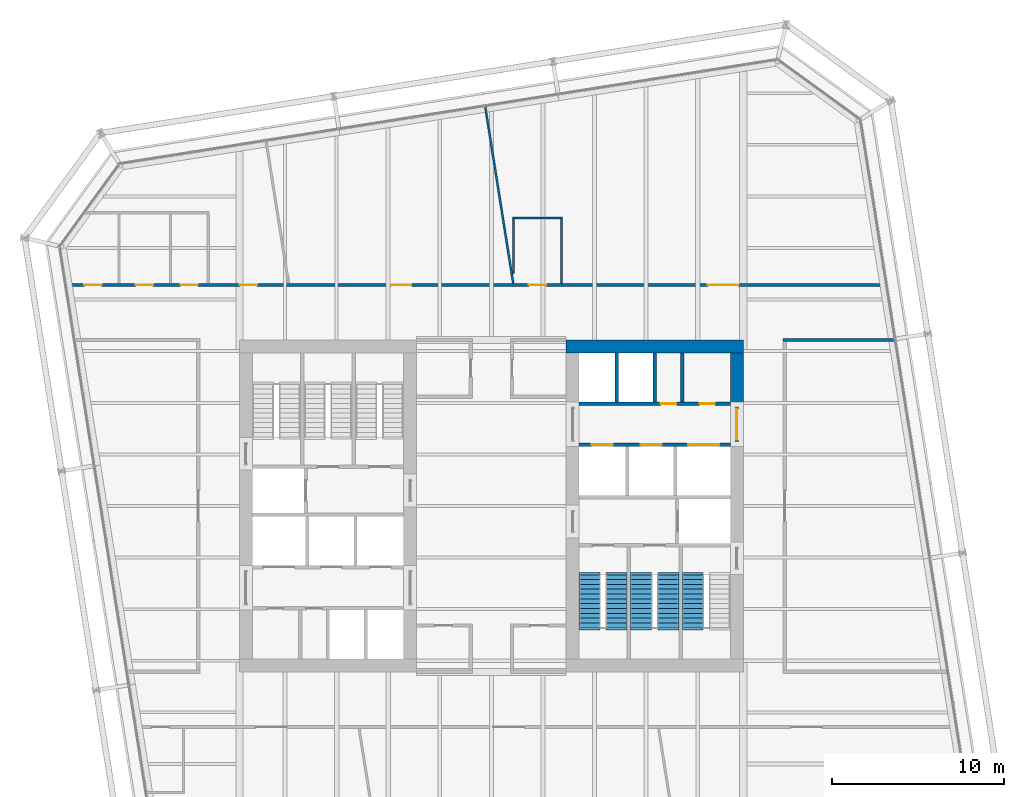
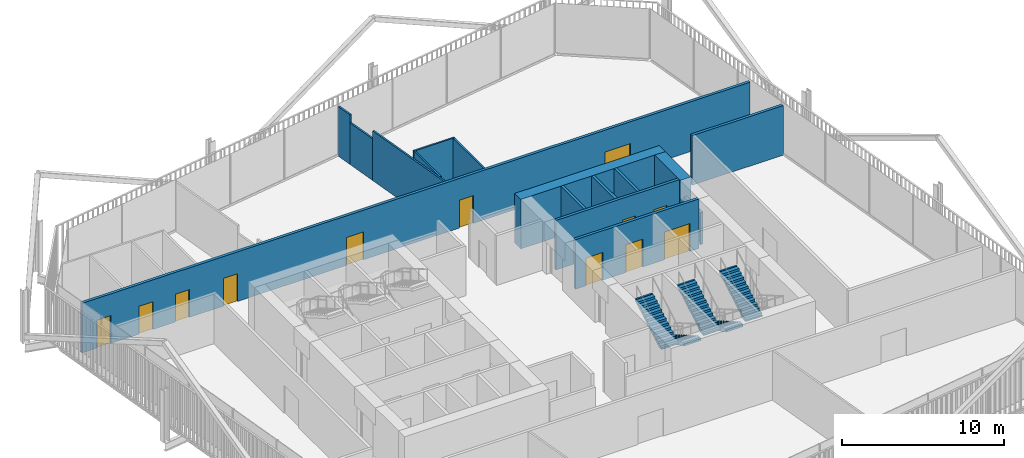
# One storey, part 20 of 22: 16 walls, 13 doors, 5 stair flights, 13 openings, 3 elements without a shape of their own.
"""IFC4 building model written with IfcOpenShell, lengths in metres."""

from ifc_helpers import new_model, si_unit, direction, frame, frame_2d, origin, place, context, subcontext, project, spatial, polyline, rectangle, outline, extrude, material, layer, layer_set, type_object, element, fill, aggregate, save


model = new_model("IFC4")

# Units and contexts
model_context = context("Model", 3, precision=1e-05, world=origin(), true_north=direction((0.0, 1.0)))
body_context = subcontext(model_context, "Body", "Model", "MODEL_VIEW")
ifc_project = project(units=[si_unit("LENGTHUNIT", "METRE"), si_unit("AREAUNIT", "SQUARE_METRE"), si_unit("VOLUMEUNIT", "CUBIC_METRE"), si_unit("PLANEANGLEUNIT", "RADIAN"), si_unit("MASSUNIT", "GRAM", prefix="KILO")], contexts=[model_context])

# Site, building, storey
site_placement = place(None, origin())
site = spatial("IfcSite", under=ifc_project, at=site_placement, CompositionType="ELEMENT")
building_placement = place(site_placement, origin())
building = spatial("IfcBuilding", under=site, at=building_placement, Name="Millrace Tower", CompositionType="ELEMENT")
storey_placement = place(building_placement, frame((0.0, 0.0, 137.300048828125)))
storey = spatial("IfcBuildingStorey", under=building, at=storey_placement, Name="L30", CompositionType="ELEMENT", Elevation=137.300048828125)

# Walls
ifc_material_1 = material(Name="Concrete C70", Category="concrete")
ifc_layer_1 = layer(ifc_material_1, 0.75)
ifc_layer_set_1 = layer_set([ifc_layer_1], Name="Concrete C70")
wall_type_1 = type_object("IfcWallType", Name="Core wall 750 Concrete C70", PredefinedType="SHEAR", material=ifc_layer_set_1)
wall_1_placement = place(storey_placement, frame((14.64990234375, 9.27490234375, 0.0), z_axis=(0.0, 0.0, 1.0), x_axis=(-1.0, 0.0, 0.0)))
element("IfcWall", 1, at=wall_1_placement, inside=storey, type_object=wall_type_1, Name="Core wall E L30", PredefinedType="SHEAR", context=body_context, shape_type="SweptSolid", body=[
    extrude(rectangle(XDim=10.2998046875, YDim=0.75, at=frame_2d((5.14990234375, 0.0))), origin(), (0.0, 0.0, 1.0), 3.739990234375),
])
wall_2_placement = place(storey_placement, frame((14.27490234375, 8.89990234375, 0.0), z_axis=(0.0, 0.0, 1.0), x_axis=(0.0, -1.0, 0.0)))
element("IfcWall", 2, at=wall_2_placement, inside=storey, type_object=wall_type_1, Name="Core wall E L30", PredefinedType="SHEAR", context=body_context, shape_type="SweptSolid", body=[
    extrude(rectangle(XDim=3.14990234375, YDim=0.75, at=frame_2d((1.574951171875, 0.0))), origin(), (0.0, 0.0, 1.0), 3.739990234375),
])
ifc_material_2 = material(Name="Masonry partition, fire-rated", Category="masonry")
ifc_layer_2 = layer(ifc_material_2, 0.199951171875)
ifc_layer_set_2 = layer_set([ifc_layer_2], Name="Masonry partition, fire-rated")
wall_type_2 = type_object("IfcWallType", Name="Corridor wall 200", PredefinedType="PARTITIONING", material=ifc_layer_set_2)
wall_3_placement = place(storey_placement, frame((16.949951171875, 9.64990234375, 0.0), z_axis=(0.0, 0.0, 1.0), x_axis=(1.0, 0.0, 0.0)))
element("IfcWall", 3, at=wall_3_placement, inside=storey, type_object=wall_type_2, Name="Corridor wall L30", PredefinedType="PARTITIONING", context=body_context, shape_type="SweptSolid", body=[
    extrude(rectangle(XDim=6.489501953125, YDim=0.199951171875, at=frame_2d((3.24462890625, 0.0))), origin(), (0.0, 0.0, 1.0), 3.739990234375),
])

# Wall, openings, doors
wall_4_placement = place(storey_placement, frame((-24.7138671875, 12.85009765625, 0.0), z_axis=(0.0, 0.0, 1.0), x_axis=(1.0, 0.0, 0.0)))
wall_4 = element("IfcWall", 4, at=wall_4_placement, inside=storey, type_object=wall_type_2, Name="Corridor wall L30", PredefinedType="PARTITIONING", context=body_context, shape_type="SweptSolid", body=[
    extrude(rectangle(XDim=47.646484375, YDim=0.199951171875, at=frame_2d((23.8232421875, 0.0))), origin(), (0.0, 0.0, 1.0), 3.739990234375),
])
opening_1_placement = place(wall_4_placement, frame((10.094970703125, 0.0, 0.0)))
opening_1 = element("IfcOpeningElement", 5, at=opening_1_placement, cuts=wall_4, Name="Opening 30-P005", PredefinedType="OPENING", context=body_context, shape_type="SweptSolid", body=[
    extrude(rectangle(XDim=1.0, YDim=2.10009765625, at=frame_2d((0.5, 1.050048828125))), frame((0.0, 0.10986328125, 0.0), z_axis=(0.0, -1.0, 0.0), x_axis=(1.0, 0.0, 0.0)), (0.0, 0.0, 1.0), 0.219970703125),
])
opening_2_placement = place(wall_4_placement, frame((1.051025390625, 0.0, 0.0)))
opening_2 = element("IfcOpeningElement", 6, at=opening_2_placement, cuts=wall_4, Name="Opening 30-P006", PredefinedType="OPENING", context=body_context, shape_type="SweptSolid", body=[
    extrude(rectangle(XDim=1.0, YDim=2.10009765625, at=frame_2d((0.5, 1.050048828125))), frame((0.0, 0.10986328125, 0.0), z_axis=(0.0, -1.0, 0.0), x_axis=(1.0, 0.0, 0.0)), (0.0, 0.0, 1.0), 0.219970703125),
])
opening_3_placement = place(wall_4_placement, frame((4.051025390625, 0.0, 0.0)))
opening_3 = element("IfcOpeningElement", 7, at=opening_3_placement, cuts=wall_4, Name="Opening 30-P007", PredefinedType="OPENING", context=body_context, shape_type="SweptSolid", body=[
    extrude(rectangle(XDim=1.0, YDim=2.10009765625, at=frame_2d((0.5, 1.050048828125))), frame((0.0, 0.10986328125, 0.0), z_axis=(0.0, -1.0, 0.0), x_axis=(1.0, 0.0, 0.0)), (0.0, 0.0, 1.0), 0.219970703125),
])
opening_4_placement = place(wall_4_placement, frame((6.65087890625, 0.0, 0.0)))
opening_4 = element("IfcOpeningElement", 8, at=opening_4_placement, cuts=wall_4, Name="Opening 30-P008", PredefinedType="OPENING", context=body_context, shape_type="SweptSolid", body=[
    extrude(rectangle(XDim=1.0, YDim=2.10009765625, at=frame_2d((0.5, 1.050048828125))), frame((0.0, 0.10986328125, 0.0), z_axis=(0.0, -1.0, 0.0), x_axis=(1.0, 0.0, 0.0)), (0.0, 0.0, 1.0), 0.219970703125),
])
opening_5_placement = place(wall_4_placement, frame((18.869384765625, 0.0, 0.0)))
opening_5 = element("IfcOpeningElement", 9, at=opening_5_placement, cuts=wall_4, Name="Opening 30-P009", PredefinedType="OPENING", context=body_context, shape_type="SweptSolid", body=[
    extrude(rectangle(XDim=1.199951171875, YDim=2.10009765625, at=frame_2d((0.60009765625, 1.050048828125))), frame((0.0, 0.10986328125, 0.0), z_axis=(0.0, -1.0, 0.0), x_axis=(1.0, 0.0, 0.0)), (0.0, 0.0, 1.0), 0.219970703125),
])
opening_6_placement = place(wall_4_placement, frame((37.298095703125, 0.0, 0.0)))
opening_6 = element("IfcOpeningElement", 10, at=opening_6_placement, cuts=wall_4, Name="Opening 30-P010", PredefinedType="OPENING", context=body_context, shape_type="SweptSolid", body=[
    extrude(rectangle(XDim=1.800048828125, YDim=2.10009765625, at=frame_2d((0.89990234375, 1.050048828125))), frame((0.0, 0.10986328125, 0.0), z_axis=(0.0, -1.0, 0.0), x_axis=(1.0, 0.0, 0.0)), (0.0, 0.0, 1.0), 0.219970703125),
])
opening_7_placement = place(wall_4_placement, frame((26.89990234375, 0.0, 0.0)))
opening_7 = element("IfcOpeningElement", 11, at=opening_7_placement, cuts=wall_4, Name="Opening 30-P011", PredefinedType="OPENING", context=body_context, shape_type="SweptSolid", body=[
    extrude(rectangle(XDim=1.0, YDim=2.10009765625, at=frame_2d((0.5, 1.050048828125))), frame((0.0, 0.10986328125, 0.0), z_axis=(0.0, -1.0, 0.0), x_axis=(1.0, 0.0, 0.0)), (0.0, 0.0, 1.0), 0.219970703125),
])
ifc_material_3 = material(Name="Steel door set, fire-rated", Category="steel")
door_type_1 = type_object("IfcDoorType", Name="Corridor door 1000 x 2100", OperationType="SINGLE_SWING_LEFT", PredefinedType="DOOR", material=ifc_material_3)
door_1_placement = place(opening_1_placement, origin())
door_1 = element("IfcDoor", 12, at=door_1_placement, inside=storey, type_object=door_type_1, Name="Door 30-P005", OperationType="SINGLE_SWING_LEFT", OverallHeight=2.10009765625, OverallWidth=1.0, PredefinedType="DOOR", context=body_context, shape_type="SweptSolid", body=[
    extrude(rectangle(XDim=1.0, YDim=2.10009765625, at=frame_2d((0.5, 1.050048828125))), frame((0.0, 0.02490234375, 0.0), z_axis=(0.0, -1.0, 0.0), x_axis=(1.0, 0.0, 0.0)), (0.0, 0.0, 1.0), 0.050048828125),
])
fill(opening_1, door_1)
door_2_placement = place(opening_2_placement, origin())
door_2 = element("IfcDoor", 13, at=door_2_placement, inside=storey, type_object=door_type_1, Name="Door 30-P006", OperationType="SINGLE_SWING_LEFT", OverallHeight=2.10009765625, OverallWidth=1.0, PredefinedType="DOOR", context=body_context, shape_type="SweptSolid", body=[
    extrude(rectangle(XDim=1.0, YDim=2.10009765625, at=frame_2d((0.5, 1.050048828125))), frame((0.0, 0.02490234375, 0.0), z_axis=(0.0, -1.0, 0.0), x_axis=(1.0, 0.0, 0.0)), (0.0, 0.0, 1.0), 0.050048828125),
])
fill(opening_2, door_2)
door_3_placement = place(opening_3_placement, origin())
door_3 = element("IfcDoor", 14, at=door_3_placement, inside=storey, type_object=door_type_1, Name="Door 30-P007", OperationType="SINGLE_SWING_LEFT", OverallHeight=2.10009765625, OverallWidth=1.0, PredefinedType="DOOR", context=body_context, shape_type="SweptSolid", body=[
    extrude(rectangle(XDim=1.0, YDim=2.10009765625, at=frame_2d((0.5, 1.050048828125))), frame((0.0, 0.02490234375, 0.0), z_axis=(0.0, -1.0, 0.0), x_axis=(1.0, 0.0, 0.0)), (0.0, 0.0, 1.0), 0.050048828125),
])
fill(opening_3, door_3)
door_4_placement = place(opening_4_placement, origin())
door_4 = element("IfcDoor", 15, at=door_4_placement, inside=storey, type_object=door_type_1, Name="Door 30-P008", OperationType="SINGLE_SWING_LEFT", OverallHeight=2.10009765625, OverallWidth=1.0, PredefinedType="DOOR", context=body_context, shape_type="SweptSolid", body=[
    extrude(rectangle(XDim=1.0, YDim=2.10009765625, at=frame_2d((0.5, 1.050048828125))), frame((0.0, 0.02490234375, 0.0), z_axis=(0.0, -1.0, 0.0), x_axis=(1.0, 0.0, 0.0)), (0.0, 0.0, 1.0), 0.050048828125),
])
fill(opening_4, door_4)
door_5_placement = place(opening_7_placement, origin())
door_5 = element("IfcDoor", 16, at=door_5_placement, inside=storey, type_object=door_type_1, Name="Door 30-P011", OperationType="SINGLE_SWING_RIGHT", OverallHeight=2.10009765625, OverallWidth=1.0, PredefinedType="DOOR", context=body_context, shape_type="SweptSolid", body=[
    extrude(rectangle(XDim=1.0, YDim=2.10009765625, at=frame_2d((0.5, 1.050048828125))), frame((0.0, 0.02490234375, 0.0), z_axis=(0.0, -1.0, 0.0), x_axis=(1.0, 0.0, 0.0)), (0.0, 0.0, 1.0), 0.050048828125),
])
fill(opening_7, door_5)
ifc_material_4 = material(Name="Steel door set, fire-rated", Category="steel")
door_type_2 = type_object("IfcDoorType", Name="Corridor door 1200 x 2100", OperationType="SINGLE_SWING_LEFT", PredefinedType="DOOR", material=ifc_material_4)
door_6_placement = place(opening_5_placement, origin())
door_6 = element("IfcDoor", 17, at=door_6_placement, inside=storey, type_object=door_type_2, Name="Door 30-P009", OperationType="SINGLE_SWING_LEFT", OverallHeight=2.10009765625, OverallWidth=1.199951171875, PredefinedType="DOOR", context=body_context, shape_type="SweptSolid", body=[
    extrude(rectangle(XDim=1.199951171875, YDim=2.10009765625, at=frame_2d((0.60009765625, 1.050048828125))), frame((0.0, 0.02490234375, 0.0), z_axis=(0.0, -1.0, 0.0), x_axis=(1.0, 0.0, 0.0)), (0.0, 0.0, 1.0), 0.050048828125),
])
fill(opening_5, door_6)
ifc_material_5 = material(Name="Steel door set, fire-rated", Category="steel")
door_type_3 = type_object("IfcDoorType", Name="Corridor door 1800 x 2100", OperationType="DOUBLE_DOOR_SINGLE_SWING", PredefinedType="DOOR", material=ifc_material_5)
door_7_placement = place(opening_6_placement, frame((1.800048828125, 0.0, 0.0), z_axis=(0.0, 0.0, 1.0), x_axis=(-1.0, 0.0, 0.0)))
door_7 = element("IfcDoor", 18, at=door_7_placement, inside=storey, type_object=door_type_3, Name="Door 30-P010", OperationType="DOUBLE_DOOR_SINGLE_SWING", OverallHeight=2.10009765625, OverallWidth=1.800048828125, PredefinedType="DOOR", context=body_context, shape_type="SweptSolid", body=[
    extrude(rectangle(XDim=1.800048828125, YDim=2.10009765625, at=frame_2d((0.89990234375, 1.050048828125))), frame((0.0, 0.02490234375, 0.0), z_axis=(0.0, -1.0, 0.0), x_axis=(1.0, 0.0, 0.0)), (0.0, 0.0, 1.0), 0.050048828125),
])
fill(opening_6, door_7)

ifc_material_6 = material(Name="Masonry partition, fire-rated", Category="masonry")
ifc_layer_3 = layer(ifc_material_6, 0.199951171875)
ifc_layer_set_3 = layer_set([ifc_layer_3], Name="Masonry partition, fire-rated")
wall_type_3 = type_object("IfcWallType", Name="Lift shaft wall 200", PredefinedType="PARTITIONING", material=ifc_layer_set_3)
wall_5_placement = place(storey_placement, frame((13.89990234375, 5.949951171875, 0.0), z_axis=(0.0, 0.0, 1.0), x_axis=(-1.0, 0.0, 0.0)))
wall_5 = element("IfcWall", 19, at=wall_5_placement, inside=storey, type_object=wall_type_3, Name="Lift shaft wall E L30", PredefinedType="PARTITIONING", context=body_context, shape_type="SweptSolid", body=[
    extrude(rectangle(XDim=8.7998046875, YDim=0.199951171875, at=frame_2d((4.39990234375, 0.0))), origin(), (0.0, 0.0, 1.0), 3.739990234375),
])
opening_8_placement = place(wall_5_placement, frame((0.8974609375, 0.0, 0.0)))
opening_8 = element("IfcOpeningElement", 20, at=opening_8_placement, cuts=wall_5, Name="Opening 30-C013", PredefinedType="OPENING", context=body_context, shape_type="SweptSolid", body=[
    extrude(rectangle(XDim=0.89990234375, YDim=2.10009765625, at=frame_2d((0.449951171875, 1.050048828125))), frame((0.0, 0.10986328125, 0.0), z_axis=(0.0, -1.0, 0.0), x_axis=(1.0, 0.0, 0.0)), (0.0, 0.0, 1.0), 0.219970703125),
])
opening_9_placement = place(wall_5_placement, frame((3.1474609375, 0.0, 0.0)))
opening_9 = element("IfcOpeningElement", 21, at=opening_9_placement, cuts=wall_5, Name="Opening 30-C014", PredefinedType="OPENING", context=body_context, shape_type="SweptSolid", body=[
    extrude(rectangle(XDim=0.89990234375, YDim=2.10009765625, at=frame_2d((0.449951171875, 1.050048828125))), frame((0.0, 0.10986328125, 0.0), z_axis=(0.0, -1.0, 0.0), x_axis=(1.0, 0.0, 0.0)), (0.0, 0.0, 1.0), 0.219970703125),
])
ifc_material_7 = material(Name="Steel door, fire-rated", Category="steel")
door_type_4 = type_object("IfcDoorType", Name="Service room door 900 x 2100", OperationType="SINGLE_SWING_LEFT", PredefinedType="DOOR", material=ifc_material_7)
door_8_placement = place(opening_8_placement, frame((0.89990234375, 0.0, 0.0), z_axis=(0.0, 0.0, 1.0), x_axis=(-1.0, 0.0, 0.0)))
door_8 = element("IfcDoor", 22, at=door_8_placement, inside=storey, type_object=door_type_4, Name="Service room door 30-C013", OperationType="SINGLE_SWING_RIGHT", OverallHeight=2.10009765625, OverallWidth=0.89990234375, PredefinedType="DOOR", context=body_context, shape_type="SweptSolid", body=[
    extrude(rectangle(XDim=0.89990234375, YDim=2.10009765625, at=frame_2d((0.449951171875, 1.050048828125))), frame((0.0, 0.02490234375, 0.0), z_axis=(0.0, -1.0, 0.0), x_axis=(1.0, 0.0, 0.0)), (0.0, 0.0, 1.0), 0.050048828125),
])
fill(opening_8, door_8)
door_9_placement = place(opening_9_placement, frame((0.89990234375, 0.0, 0.0), z_axis=(0.0, 0.0, 1.0), x_axis=(-1.0, 0.0, 0.0)))
door_9 = element("IfcDoor", 23, at=door_9_placement, inside=storey, type_object=door_type_4, Name="Service room door 30-C014", OperationType="SINGLE_SWING_RIGHT", OverallHeight=2.10009765625, OverallWidth=0.89990234375, PredefinedType="DOOR", context=body_context, shape_type="SweptSolid", body=[
    extrude(rectangle(XDim=0.89990234375, YDim=2.10009765625, at=frame_2d((0.449951171875, 1.050048828125))), frame((0.0, 0.02490234375, 0.0), z_axis=(0.0, -1.0, 0.0), x_axis=(1.0, 0.0, 0.0)), (0.0, 0.0, 1.0), 0.050048828125),
])
fill(opening_9, door_9)

wall_6_placement = place(storey_placement, frame((13.89990234375, 3.550048828125, 0.0), z_axis=(0.0, 0.0, 1.0), x_axis=(-1.0, 0.0, 0.0)))
wall_6 = element("IfcWall", 24, at=wall_6_placement, inside=storey, type_object=wall_type_3, Name="Lift shaft wall E L30", PredefinedType="PARTITIONING", context=body_context, shape_type="SweptSolid", body=[
    extrude(rectangle(XDim=8.7998046875, YDim=0.199951171875, at=frame_2d((4.39990234375, 0.0))), origin(), (0.0, 0.0, 1.0), 3.739990234375),
])
opening_10_placement = place(wall_6_placement, frame((0.64990234375, 0.0, 0.0)))
opening_10 = element("IfcOpeningElement", 25, at=opening_10_placement, cuts=wall_6, Name="Opening 30-LD13", PredefinedType="OPENING", context=body_context, shape_type="SweptSolid", body=[
    extrude(rectangle(XDim=1.800048828125, YDim=2.10009765625, at=frame_2d((0.89990234375, 1.050048828125))), frame((0.0, 0.10986328125, 0.0), z_axis=(0.0, -1.0, 0.0), x_axis=(1.0, 0.0, 0.0)), (0.0, 0.0, 1.0), 0.219970703125),
])
opening_11_placement = place(wall_6_placement, frame((4.0, 0.0, 0.0)))
opening_11 = element("IfcOpeningElement", 26, at=opening_11_placement, cuts=wall_6, Name="Opening 30-LD14", PredefinedType="OPENING", context=body_context, shape_type="SweptSolid", body=[
    extrude(rectangle(XDim=1.199951171875, YDim=2.10009765625, at=frame_2d((0.60009765625, 1.050048828125))), frame((0.0, 0.10986328125, 0.0), z_axis=(0.0, -1.0, 0.0), x_axis=(1.0, 0.0, 0.0)), (0.0, 0.0, 1.0), 0.219970703125),
])
opening_12_placement = place(wall_6_placement, frame((6.85009765625, 0.0, 0.0)))
opening_12 = element("IfcOpeningElement", 27, at=opening_12_placement, cuts=wall_6, Name="Opening 30-LD15", PredefinedType="OPENING", context=body_context, shape_type="SweptSolid", body=[
    extrude(rectangle(XDim=1.199951171875, YDim=2.10009765625, at=frame_2d((0.60009765625, 1.050048828125))), frame((0.0, 0.10986328125, 0.0), z_axis=(0.0, -1.0, 0.0), x_axis=(1.0, 0.0, 0.0)), (0.0, 0.0, 1.0), 0.219970703125),
])
ifc_material_8 = material(Name="Stainless steel, fire-rated", Category="steel")
door_type_5 = type_object("IfcDoorType", Name="Lift landing door 1200 x 2100", OperationType="DOUBLE_DOOR_SLIDING", PredefinedType="DOOR", material=ifc_material_8)
door_10_placement = place(opening_11_placement, origin())
door_10 = element("IfcDoor", 28, at=door_10_placement, inside=storey, type_object=door_type_5, Name="Lift landing door LF14 L30", OperationType="DOUBLE_DOOR_SLIDING", OverallHeight=2.10009765625, OverallWidth=1.199951171875, PredefinedType="DOOR", context=body_context, shape_type="SweptSolid", body=[
    extrude(rectangle(XDim=1.199951171875, YDim=2.10009765625, at=frame_2d((0.60009765625, 1.050048828125))), frame((0.0, 0.02490234375, 0.0), z_axis=(0.0, -1.0, 0.0), x_axis=(1.0, 0.0, 0.0)), (0.0, 0.0, 1.0), 0.050048828125),
])
fill(opening_11, door_10)
door_11_placement = place(opening_12_placement, origin())
door_11 = element("IfcDoor", 29, at=door_11_placement, inside=storey, type_object=door_type_5, Name="Lift landing door LF15 L30", OperationType="DOUBLE_DOOR_SLIDING", OverallHeight=2.10009765625, OverallWidth=1.199951171875, PredefinedType="DOOR", context=body_context, shape_type="SweptSolid", body=[
    extrude(rectangle(XDim=1.199951171875, YDim=2.10009765625, at=frame_2d((0.60009765625, 1.050048828125))), frame((0.0, 0.02490234375, 0.0), z_axis=(0.0, -1.0, 0.0), x_axis=(1.0, 0.0, 0.0)), (0.0, 0.0, 1.0), 0.050048828125),
])
fill(opening_12, door_11)
ifc_material_9 = material(Name="Stainless steel, fire-rated", Category="steel")
door_type_6 = type_object("IfcDoorType", Name="Lift landing door 1800 x 2100", OperationType="DOUBLE_DOOR_SLIDING", PredefinedType="DOOR", material=ifc_material_9)
door_12_placement = place(opening_10_placement, origin())
door_12 = element("IfcDoor", 30, at=door_12_placement, inside=storey, type_object=door_type_6, Name="Lift landing door LF13 L30", OperationType="DOUBLE_DOOR_SLIDING", OverallHeight=2.10009765625, OverallWidth=1.800048828125, PredefinedType="DOOR", context=body_context, shape_type="SweptSolid", body=[
    extrude(rectangle(XDim=1.800048828125, YDim=2.10009765625, at=frame_2d((0.89990234375, 1.050048828125))), frame((0.0, 0.02490234375, 0.0), z_axis=(0.0, -1.0, 0.0), x_axis=(1.0, 0.0, 0.0)), (0.0, 0.0, 1.0), 0.050048828125),
])
fill(opening_10, door_12)

# Walls
for number, where, z_axis, x_axis, name in (
    (31, (9.5, 8.89990234375, 0.0), (0.0, 0.0, 1.0), (0.0, -1.0, 0.0), "Lift shaft wall E L30"),
    (32, (7.300048828125, 8.89990234375, 0.0), (0.0, 0.0, 1.0), (0.0, -1.0, 0.0), "Lift shaft wall E L30"),
):
    element("IfcWall", number, at=place(storey_placement, frame(where, z_axis=z_axis, x_axis=x_axis)), inside=storey, type_object=wall_type_3, Name=name, PredefinedType="PARTITIONING", context=body_context, shape_type="SweptSolid", body=[
        extrude(rectangle(XDim=2.849853515625, YDim=0.199951171875, at=frame_2d((1.4248046875, 0.0))), origin(), (0.0, 0.0, 1.0), 3.739990234375),
    ])

# Wall, opening, door
ifc_material_10 = material(Name="Masonry partition, fire-rated", Category="masonry")
ifc_layer_4 = layer(ifc_material_10, 0.199951171875)
ifc_layer_set_4 = layer_set([ifc_layer_4], Name="Masonry partition, fire-rated")
wall_type_4 = type_object("IfcWallType", Name="Lobby wall 200", PredefinedType="PARTITIONING", material=ifc_layer_set_4)
wall_7_placement = place(storey_placement, frame((14.27490234375, 5.75, 0.0), z_axis=(0.0, 0.0, 1.0), x_axis=(0.0, -1.0, 0.0)))
wall_7 = element("IfcWall", 33, at=wall_7_placement, inside=storey, type_object=wall_type_4, Name="Lobby wall E L30", PredefinedType="PARTITIONING", context=body_context, shape_type="SweptSolid", body=[
    extrude(rectangle(XDim=2.0, YDim=0.199951171875, at=frame_2d((1.0, 0.0))), origin(), (0.0, 0.0, 1.0), 2.39990234375),
])
opening_13_placement = place(wall_7_placement, frame((0.10009765625, 0.0, 0.0)))
opening_13 = element("IfcOpeningElement", 34, at=opening_13_placement, cuts=wall_7, Name="Opening 30-C009", PredefinedType="OPENING", context=body_context, shape_type="SweptSolid", body=[
    extrude(rectangle(XDim=1.800048828125, YDim=2.10009765625, at=frame_2d((0.89990234375, 1.050048828125))), frame((0.0, 0.10986328125, 0.0), z_axis=(0.0, -1.0, 0.0), x_axis=(1.0, 0.0, 0.0)), (0.0, 0.0, 1.0), 0.219970703125),
])
ifc_material_11 = material(Name="Steel door, fire-rated", Category="steel")
door_type_7 = type_object("IfcDoorType", Name="Lobby door 1800 x 2100", OperationType="DOUBLE_DOOR_SINGLE_SWING", PredefinedType="DOOR", material=ifc_material_11)
door_13_placement = place(opening_13_placement, origin())
door_13 = element("IfcDoor", 35, at=door_13_placement, inside=storey, type_object=door_type_7, Name="Lobby door 30-C009", OperationType="DOUBLE_DOOR_SINGLE_SWING", OverallHeight=2.10009765625, OverallWidth=1.800048828125, PredefinedType="DOOR", context=body_context, shape_type="SweptSolid", body=[
    extrude(rectangle(XDim=1.800048828125, YDim=2.10009765625, at=frame_2d((0.89990234375, 1.050048828125))), frame((0.0, 0.02490234375, 0.0), z_axis=(0.0, -1.0, 0.0), x_axis=(1.0, 0.0, 0.0)), (0.0, 0.0, 1.0), 0.050048828125),
])
fill(opening_13, door_13)

# Walls
ifc_material_12 = material(Name="Gypsum board partition")
ifc_layer_5 = layer(ifc_material_12, 0.1201171875)
ifc_layer_set_5 = layer_set([ifc_layer_5], Name="Gypsum board partition")
wall_type_5 = type_object("IfcWallType", Name="Partition wall 120", PredefinedType="PARTITIONING", material=ifc_layer_set_5)
wall_8_placement = place(storey_placement, frame((-0.35791015625, 23.2265625, 0.0), z_axis=(0.0, 0.0, 1.0), x_axis=(0.156600767985, -0.987661986444, 0.0)))
element("IfcWall", 36, at=wall_8_placement, inside=storey, type_object=wall_type_5, Name="Partition wall L30", PredefinedType="PARTITIONING", context=body_context, shape_type="SweptSolid", body=[
    extrude(rectangle(XDim=1.1787109375, YDim=0.1201171875, at=frame_2d((0.58935546875, 0.0))), origin(), (0.0, 0.0, 1.0), 3.739990234375),
])
wall_9_placement = place(storey_placement, frame((-0.17333984375, 22.0625, 0.0), z_axis=(0.0, 0.0, 1.0), x_axis=(0.156375374173, -0.987697697857, 0.0)))
element("IfcWall", 37, at=wall_9_placement, inside=storey, type_object=wall_type_5, Name="Partition wall L30", PredefinedType="PARTITIONING", context=body_context, shape_type="SweptSolid", body=[
    extrude(rectangle(XDim=2.217041015625, YDim=0.1201171875, at=frame_2d((1.1083984375, 0.0))), origin(), (0.0, 0.0, 1.0), 3.1328125),
])
wall_10_placement = place(storey_placement, frame((0.17333984375, 19.872802734375, 0.0), z_axis=(0.0, 0.0, 1.0), x_axis=(0.156470438689, -0.987682642257, 0.0)))
element("IfcWall", 38, at=wall_10_placement, inside=storey, type_object=wall_type_5, Name="Partition wall L30", PredefinedType="PARTITIONING", context=body_context, shape_type="SweptSolid", body=[
    extrude(rectangle(XDim=7.010498046875, YDim=0.1201171875, at=frame_2d((3.50537109375, 0.0))), origin(), (0.0, 0.0, 1.0), 3.739990234375),
])
wall_11_placement = place(storey_placement, frame((1.22607421875, 16.75, 0.0), z_axis=(0.0, 0.0, 1.0), x_axis=(1.0, 0.0, 0.0)))
element("IfcWall", 39, at=wall_11_placement, inside=storey, type_object=wall_type_5, Name="Partition wall L30", PredefinedType="PARTITIONING", context=body_context, shape_type="SweptSolid", body=[
    extrude(rectangle(XDim=2.919921875, YDim=0.1201171875, at=frame_2d((1.4599609375, 0.0))), origin(), (0.0, 0.0, 1.0), 3.739990234375),
])
wall_12_placement = place(storey_placement, frame((4.0859375, 12.949951171875, 0.0), z_axis=(0.0, 0.0, 1.0), x_axis=(0.0, 1.0, 0.0)))
element("IfcWall", 40, at=wall_12_placement, inside=storey, type_object=wall_type_5, Name="Partition wall L30", PredefinedType="PARTITIONING", context=body_context, shape_type="SweptSolid", body=[
    extrude(rectangle(XDim=3.739990234375, YDim=0.1201171875, at=frame_2d((1.8701171875, 0.0))), origin(), (0.0, 0.0, 1.0), 3.739990234375),
])
wall_13_placement = place(storey_placement, frame((1.285888671875, 13.517578125, 0.0), z_axis=(0.0, 0.0, 1.0), x_axis=(0.0, 1.0, 0.0)))
element("IfcWall", 41, at=wall_13_placement, inside=storey, type_object=wall_type_5, Name="Partition wall L30", PredefinedType="PARTITIONING", context=body_context, shape_type="SweptSolid", body=[
    extrude(rectangle(XDim=3.17236328125, YDim=0.1201171875, at=frame_2d((1.586181640625, 0.0))), origin(), (0.0, 0.0, 1.0), 3.739990234375),
])
ifc_material_13 = material(Name="Masonry partition, fire-rated", Category="masonry")
ifc_layer_6 = layer(ifc_material_13, 0.199951171875)
ifc_layer_set_6 = layer_set([ifc_layer_6], Name="Masonry partition, fire-rated")
wall_type_6 = type_object("IfcWallType", Name="Room partition 200", PredefinedType="PARTITIONING", material=ifc_layer_set_6)
wall_14_placement = place(storey_placement, frame((11.10498046875, 8.89990234375, 0.0), z_axis=(0.0, 0.0, 1.0), x_axis=(0.0, -1.0, 0.0)))
element("IfcWall", 42, at=wall_14_placement, inside=storey, type_object=wall_type_6, Name="Room partition E L30", PredefinedType="PARTITIONING", context=body_context, shape_type="SweptSolid", body=[
    extrude(rectangle(XDim=2.849853515625, YDim=0.199951171875, at=frame_2d((1.4248046875, 0.0))), origin(), (0.0, 0.0, 1.0), 3.739990234375),
])

# Stair, stair flight
ifc_material_14 = material(Name="Concrete C35", Category="concrete")
stair_type = type_object("IfcStairType", Name="Exit stair", PredefinedType="HALF_TURN_STAIR", material=ifc_material_14)
placement = place(storey_placement, origin())
stair_1 = element("IfcStair", 43, at=placement, inside=storey, type_object=stair_type, Name="Stair 1 E L30", PredefinedType="HALF_TURN_STAIR")
ifc_material_15 = material(Name="Concrete C35", Category="concrete")
stair_flight_type = type_object("IfcStairFlightType", Name="Exit stair flight", PredefinedType="STRAIGHT", material=ifc_material_15)
stair_flight_1_placement = place(storey_placement, frame((11.7099609375, -7.080078125, 1.949951171875), z_axis=(0.0, 0.0, 1.0), x_axis=(0.0, 1.0, 0.0)))
stair_flight_1 = element("IfcStairFlight", 44, at=stair_flight_1_placement, type_object=stair_flight_type, Name="ST12 flight 2", NumberOfRisers=12, NumberOfTreads=11, PredefinedType="STRAIGHT", RiserHeight=0.1625, TreadLength=0.28, context=body_context, shape_type="SweptSolid", body=[
    extrude(outline(polyline([(-0.1201171875, -0.0400390625), (-0.1201171875, 0.0), (0.0, 0.0), (0.0, 0.16259765625), (0.280029296875, 0.16259765625), (0.280029296875, 0.324951171875), (0.56005859375, 0.324951171875), (0.56005859375, 0.487548828125), (0.840087890625, 0.487548828125), (0.840087890625, 0.64990234375), (1.1201171875, 0.64990234375), (1.1201171875, 0.8125), (1.39990234375, 0.8125), (1.39990234375, 0.97509765625), (1.679931640625, 0.97509765625), (1.679931640625, 1.137451171875), (1.9599609375, 1.137451171875), (1.9599609375, 1.300048828125), (2.239990234375, 1.300048828125), (2.239990234375, 1.46240234375), (2.52001953125, 1.46240234375), (2.52001953125, 1.625), (2.800048828125, 1.625), (2.800048828125, 1.78759765625), (3.080078125, 1.78759765625), (3.080078125, 1.8076171875), (3.199951171875, 1.8076171875), (3.199951171875, 1.6142578125), (3.080078125, 1.6142578125), (0.298583984375, 0.0), (0.298583984375, -0.0400390625), (-0.1201171875, -0.0400390625)])), frame((0.0, 0.60986328125, 0.0), z_axis=(0.0, -1.0, 0.0), x_axis=(1.0, 0.0, 0.0)), (0.0, 0.0, 1.0), 1.219970703125),
])
aggregate(stair_1, [stair_flight_1])

# Stair, stair flights
stair_2 = element("IfcStair", 45, at=placement, inside=storey, type_object=stair_type, Name="Stair 2 E L30", PredefinedType="HALF_TURN_STAIR")
stair_flight_2_placement = place(storey_placement, frame((10.2900390625, -4.0, 0.0), z_axis=(0.0, 0.0, 1.0), x_axis=(0.0, -1.0, 0.0)))
stair_flight_2 = element("IfcStairFlight", 46, at=stair_flight_2_placement, type_object=stair_flight_type, Name="ST12 flight 1", NumberOfRisers=12, NumberOfTreads=11, PredefinedType="STRAIGHT", RiserHeight=0.1625, TreadLength=0.28, context=body_context, shape_type="SweptSolid", body=[
    extrude(outline(polyline([(-0.1201171875, -0.0400390625), (-0.1201171875, 0.0), (0.0, 0.0), (0.0, 0.16259765625), (0.280029296875, 0.16259765625), (0.280029296875, 0.324951171875), (0.56005859375, 0.324951171875), (0.56005859375, 0.487548828125), (0.840087890625, 0.487548828125), (0.840087890625, 0.64990234375), (1.1201171875, 0.64990234375), (1.1201171875, 0.8125), (1.39990234375, 0.8125), (1.39990234375, 0.97509765625), (1.679931640625, 0.97509765625), (1.679931640625, 1.137451171875), (1.9599609375, 1.137451171875), (1.9599609375, 1.300048828125), (2.239990234375, 1.300048828125), (2.239990234375, 1.46240234375), (2.52001953125, 1.46240234375), (2.52001953125, 1.625), (2.800048828125, 1.625), (2.800048828125, 1.78759765625), (3.080078125, 1.78759765625), (3.080078125, 1.8076171875), (3.199951171875, 1.8076171875), (3.199951171875, 1.6142578125), (3.080078125, 1.6142578125), (0.298583984375, 0.0), (0.298583984375, -0.0400390625), (-0.1201171875, -0.0400390625)])), frame((0.0, 0.60986328125, 0.0), z_axis=(0.0, -1.0, 0.0), x_axis=(1.0, 0.0, 0.0)), (0.0, 0.0, 1.0), 1.219970703125),
])
stair_flight_3_placement = place(storey_placement, frame((8.7099609375, -7.080078125, 1.949951171875), z_axis=(0.0, 0.0, 1.0), x_axis=(0.0, 1.0, 0.0)))
stair_flight_3 = element("IfcStairFlight", 47, at=stair_flight_3_placement, type_object=stair_flight_type, Name="ST12 flight 2", NumberOfRisers=12, NumberOfTreads=11, PredefinedType="STRAIGHT", RiserHeight=0.1625, TreadLength=0.28, context=body_context, shape_type="SweptSolid", body=[
    extrude(outline(polyline([(-0.1201171875, -0.0400390625), (-0.1201171875, 0.0), (0.0, 0.0), (0.0, 0.16259765625), (0.280029296875, 0.16259765625), (0.280029296875, 0.324951171875), (0.56005859375, 0.324951171875), (0.56005859375, 0.487548828125), (0.840087890625, 0.487548828125), (0.840087890625, 0.64990234375), (1.1201171875, 0.64990234375), (1.1201171875, 0.8125), (1.39990234375, 0.8125), (1.39990234375, 0.97509765625), (1.679931640625, 0.97509765625), (1.679931640625, 1.137451171875), (1.9599609375, 1.137451171875), (1.9599609375, 1.300048828125), (2.239990234375, 1.300048828125), (2.239990234375, 1.46240234375), (2.52001953125, 1.46240234375), (2.52001953125, 1.625), (2.800048828125, 1.625), (2.800048828125, 1.78759765625), (3.080078125, 1.78759765625), (3.080078125, 1.8076171875), (3.199951171875, 1.8076171875), (3.199951171875, 1.6142578125), (3.080078125, 1.6142578125), (0.298583984375, 0.0), (0.298583984375, -0.0400390625), (-0.1201171875, -0.0400390625)])), frame((0.0, 0.60986328125, 0.0), z_axis=(0.0, -1.0, 0.0), x_axis=(1.0, 0.0, 0.0)), (0.0, 0.0, 1.0), 1.219970703125),
])
aggregate(stair_2, [stair_flight_2, stair_flight_3])

stair_3 = element("IfcStair", 48, at=placement, inside=storey, type_object=stair_type, Name="Stair 3 E L30", PredefinedType="HALF_TURN_STAIR")
stair_flight_4_placement = place(storey_placement, frame((7.2900390625, -4.0, 0.0), z_axis=(0.0, 0.0, 1.0), x_axis=(0.0, -1.0, 0.0)))
stair_flight_4 = element("IfcStairFlight", 49, at=stair_flight_4_placement, type_object=stair_flight_type, Name="ST12 flight 1", NumberOfRisers=12, NumberOfTreads=11, PredefinedType="STRAIGHT", RiserHeight=0.1625, TreadLength=0.28, context=body_context, shape_type="SweptSolid", body=[
    extrude(outline(polyline([(-0.1201171875, -0.0400390625), (-0.1201171875, 0.0), (0.0, 0.0), (0.0, 0.16259765625), (0.280029296875, 0.16259765625), (0.280029296875, 0.324951171875), (0.56005859375, 0.324951171875), (0.56005859375, 0.487548828125), (0.840087890625, 0.487548828125), (0.840087890625, 0.64990234375), (1.1201171875, 0.64990234375), (1.1201171875, 0.8125), (1.39990234375, 0.8125), (1.39990234375, 0.97509765625), (1.679931640625, 0.97509765625), (1.679931640625, 1.137451171875), (1.9599609375, 1.137451171875), (1.9599609375, 1.300048828125), (2.239990234375, 1.300048828125), (2.239990234375, 1.46240234375), (2.52001953125, 1.46240234375), (2.52001953125, 1.625), (2.800048828125, 1.625), (2.800048828125, 1.78759765625), (3.080078125, 1.78759765625), (3.080078125, 1.8076171875), (3.199951171875, 1.8076171875), (3.199951171875, 1.6142578125), (3.080078125, 1.6142578125), (0.298583984375, 0.0), (0.298583984375, -0.0400390625), (-0.1201171875, -0.0400390625)])), frame((0.0, 0.60986328125, 0.0), z_axis=(0.0, -1.0, 0.0), x_axis=(1.0, 0.0, 0.0)), (0.0, 0.0, 1.0), 1.219970703125),
])
stair_flight_5_placement = place(storey_placement, frame((5.7099609375, -7.080078125, 1.949951171875), z_axis=(0.0, 0.0, 1.0), x_axis=(0.0, 1.0, 0.0)))
stair_flight_5 = element("IfcStairFlight", 50, at=stair_flight_5_placement, type_object=stair_flight_type, Name="ST12 flight 2", NumberOfRisers=12, NumberOfTreads=11, PredefinedType="STRAIGHT", RiserHeight=0.1625, TreadLength=0.28, context=body_context, shape_type="SweptSolid", body=[
    extrude(outline(polyline([(-0.1201171875, -0.0400390625), (-0.1201171875, 0.0), (0.0, 0.0), (0.0, 0.16259765625), (0.280029296875, 0.16259765625), (0.280029296875, 0.324951171875), (0.56005859375, 0.324951171875), (0.56005859375, 0.487548828125), (0.840087890625, 0.487548828125), (0.840087890625, 0.64990234375), (1.1201171875, 0.64990234375), (1.1201171875, 0.8125), (1.39990234375, 0.8125), (1.39990234375, 0.97509765625), (1.679931640625, 0.97509765625), (1.679931640625, 1.137451171875), (1.9599609375, 1.137451171875), (1.9599609375, 1.300048828125), (2.239990234375, 1.300048828125), (2.239990234375, 1.46240234375), (2.52001953125, 1.46240234375), (2.52001953125, 1.625), (2.800048828125, 1.625), (2.800048828125, 1.78759765625), (3.080078125, 1.78759765625), (3.080078125, 1.8076171875), (3.199951171875, 1.8076171875), (3.199951171875, 1.6142578125), (3.080078125, 1.6142578125), (0.298583984375, 0.0), (0.298583984375, -0.0400390625), (-0.1201171875, -0.0400390625)])), frame((0.0, 0.60986328125, 0.0), z_axis=(0.0, -1.0, 0.0), x_axis=(1.0, 0.0, 0.0)), (0.0, 0.0, 1.0), 1.219970703125),
])
aggregate(stair_3, [stair_flight_4, stair_flight_5])

save(model, "model.ifc")
